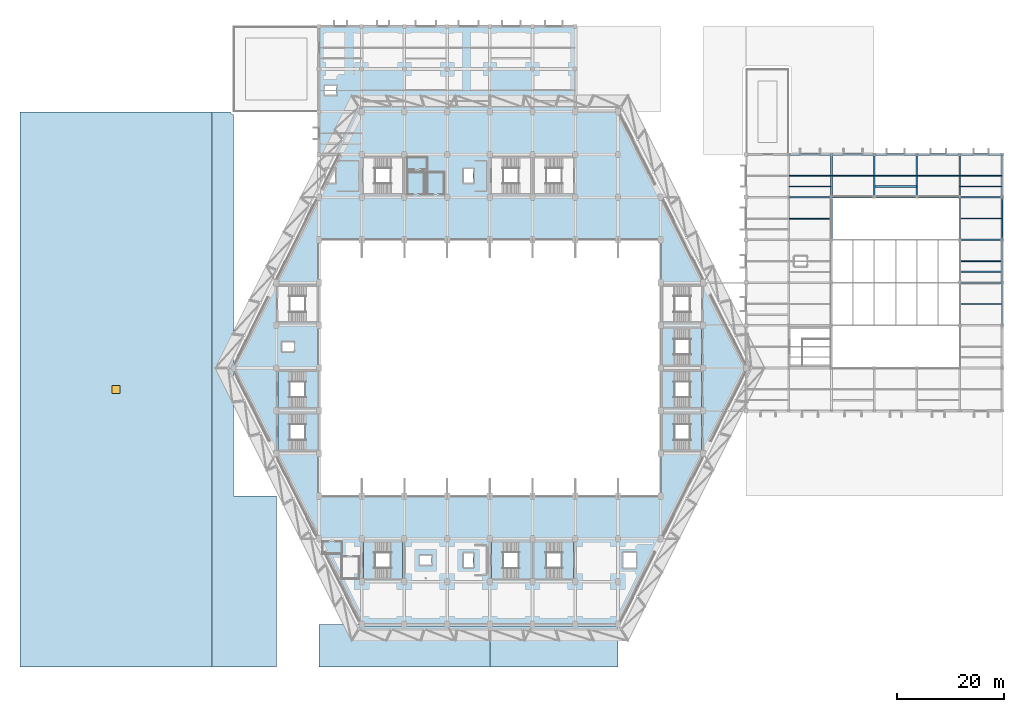
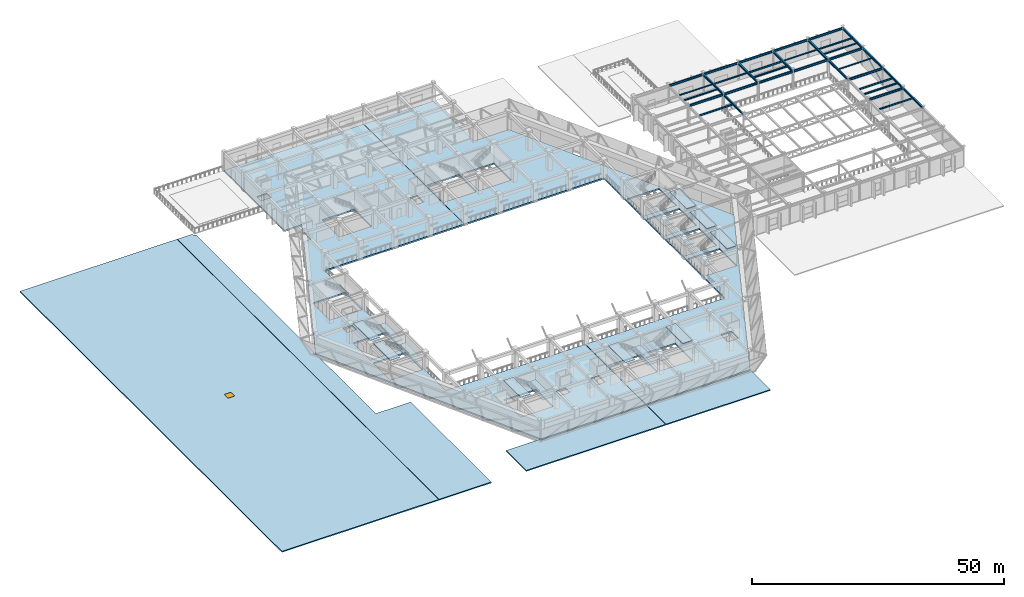
# One storey, part 17 of 46: 35 beams, 22 slabs, 1 member, 1 window, 1 opening, 8 elements without a shape of their own.
"""IFC4 building model written with IfcOpenShell, lengths in metres."""

from ifc_helpers import new_model, si_unit, direction, frame, origin, origin_2d, place, context, subcontext, project, spatial, polyline, rectangle, hollow_circle, i_section, outline, extrude, material, layer, layer_set, material_profile, profile_set, type_object, element, fill, aggregate, save


model = new_model("IFC4")

# Units and contexts
model_context = context("Model", 3, precision=1e-05, world=origin(), true_north=direction((0.0, 1.0)))
body_context = subcontext(model_context, "Body", "Model", "MODEL_VIEW")
ifc_project = project(units=[si_unit("LENGTHUNIT", "METRE"), si_unit("AREAUNIT", "SQUARE_METRE"), si_unit("VOLUMEUNIT", "CUBIC_METRE"), si_unit("PLANEANGLEUNIT", "RADIAN"), si_unit("MASSUNIT", "GRAM", prefix="KILO")], contexts=[model_context])

# Site, building, storey
site_placement = place(None, origin())
site = spatial("IfcSite", under=ifc_project, at=site_placement, CompositionType="ELEMENT")
building_placement = place(site_placement, origin())
building = spatial("IfcBuilding", under=site, at=building_placement, Name="Tazarka Park Arena", CompositionType="ELEMENT")
storey_placement = place(building_placement, frame((0.0, 0.0, 10.199951171875)))
storey = spatial("IfcBuildingStorey", under=building, at=storey_placement, Name="L02", CompositionType="ELEMENT", Elevation=10.199951171875)

# Beams
ifc_material_1 = material(Name="Steel S355", Category="steel")
ifc_material_profile_1 = material_profile(ifc_material_1, i_section(OverallWidth=0.300048828125, OverallDepth=0.489990234375, WebThickness=0.011962890625, FlangeThickness=0.02294921875, FilletRadius=0.027099609375, at=origin_2d()), Name="Steel S355")
ifc_profile_set_1 = profile_set([ifc_material_profile_1], Name="Steel S355")
beam_type_1 = type_object("IfcBeamType", Name="BM-B-06", PredefinedType="BEAM", material=ifc_profile_set_1)
for number, where, z_axis, x_axis, name in (
    (1, (144.1201171875, 96.0, 4.175048828125), (1.0, 0.0, 0.0), (0.0, 1.0, 0.0), "GXM-L02-18-12"),
    (2, (152.1201171875, 96.0, 4.175048828125), (1.0, 0.0, 0.0), (0.0, 1.0, 0.0), "GXM-L02-19-12"),
    (3, (152.0, 96.1201171875, 4.175048828125), (0.0, 1.0, 0.0), (-1.0, 0.0, 0.0), "GYM-L02-19-12"),
    (4, (160.0, 96.1201171875, 4.175048828125), (0.0, 1.0, 0.0), (-1.0, 0.0, 0.0), "GYM-L02-20-12"),
    (5, (168.0, 96.1201171875, 4.175048828125), (0.0, 1.0, 0.0), (-1.0, 0.0, 0.0), "GYM-L02-21-12"),
    (6, (176.1201171875, 80.0, 4.175048828125), (1.0, 0.0, 0.0), (0.0, 1.0, 0.0), "GXM-L02-22-10"),
    (7, (176.1201171875, 88.0, 4.175048828125), (1.0, 0.0, 0.0), (0.0, 1.0, 0.0), "GXM-L02-22-11"),
    (8, (176.1201171875, 96.0, 4.175048828125), (1.0, 0.0, 0.0), (0.0, 1.0, 0.0), "GXM-L02-22-12"),
    (9, (176.0, 96.1201171875, 4.175048828125), (0.0, 1.0, 0.0), (-1.0, 0.0, 0.0), "GYM-L02-22-12"),
):
    element("IfcBeam", number, at=place(storey_placement, frame(where, z_axis=z_axis, x_axis=x_axis)), inside=storey, type_object=beam_type_1, Name=name, PredefinedType="BEAM", context=body_context, shape_type="SweptSolid", body=[
        extrude(i_section(OverallWidth=0.300048828125, OverallDepth=0.489990234375, WebThickness=0.011962890625, FlangeThickness=0.02294921875, FilletRadius=0.027099609375, at=origin_2d()), origin(), (0.0, 0.0, 1.0), 7.759765625),
    ])
ifc_material_2 = material(Name="Steel S355", Category="steel")
ifc_material_profile_2 = material_profile(ifc_material_2, i_section(OverallWidth=0.14990234375, OverallDepth=0.300048828125, WebThickness=0.007080078125, FlangeThickness=0.0107421875, FilletRadius=0.014892578125, at=origin_2d()), Name="Steel S355")
ifc_profile_set_2 = profile_set([ifc_material_profile_2], Name="Steel S355")
beam_type_2 = type_object("IfcBeamType", Name="BM-J-01", PredefinedType="JOIST", material=ifc_profile_set_2)
for number, where, z_axis, x_axis, name in (
    (10, (144.1201171875, 100.0, 4.27001953125), (1.0, 0.0, 0.0), (0.0, 1.0, 0.0), "JST-L02-18-12"),
    (11, (168.1201171875, 100.0, 4.27001953125), (1.0, 0.0, 0.0), (0.0, 1.0, 0.0), "JST-L02-21-12"),
    (12, (176.1201171875, 92.0, 4.27001953125), (1.0, 0.0, 0.0), (0.0, 1.0, 0.0), "JST-L02-22-11"),
):
    element("IfcBeam", number, at=place(storey_placement, frame(where, z_axis=z_axis, x_axis=x_axis)), inside=storey, type_object=beam_type_2, Name=name, PredefinedType="JOIST", context=body_context, shape_type="SweptSolid", body=[
        extrude(i_section(OverallWidth=0.14990234375, OverallDepth=0.300048828125, WebThickness=0.007080078125, FlangeThickness=0.0107421875, FilletRadius=0.014892578125, at=origin_2d()), origin(), (0.0, 0.0, 1.0), 7.759765625),
    ])
ifc_material_3 = material(Name="Steel S355", Category="steel")
ifc_material_profile_3 = material_profile(ifc_material_3, i_section(OverallWidth=0.169921875, OverallDepth=0.360107421875, WebThickness=0.008056640625, FlangeThickness=0.0126953125, FilletRadius=0.01806640625, at=origin_2d()), Name="Steel S355")
ifc_profile_set_3 = profile_set([ifc_material_profile_3], Name="Steel S355")
beam_type_3 = type_object("IfcBeamType", Name="BM-J-02", PredefinedType="JOIST", material=ifc_profile_set_3)
for number, where, z_axis, x_axis, name in (
    (13, (152.1201171875, 100.0, 4.239990234375), (1.0, 0.0, 0.0), (0.0, 1.0, 0.0), "JST-L02-19-12"),
    (14, (176.1201171875, 76.0, 4.239990234375), (1.0, 0.0, 0.0), (0.0, 1.0, 0.0), "JST-L02-22-09"),
    (15, (176.1201171875, 100.0, 4.239990234375), (1.0, 0.0, 0.0), (0.0, 1.0, 0.0), "JST-L02-22-12"),
):
    element("IfcBeam", number, at=place(storey_placement, frame(where, z_axis=z_axis, x_axis=x_axis)), inside=storey, type_object=beam_type_3, Name=name, PredefinedType="JOIST", context=body_context, shape_type="SweptSolid", body=[
        extrude(i_section(OverallWidth=0.169921875, OverallDepth=0.360107421875, WebThickness=0.008056640625, FlangeThickness=0.0126953125, FilletRadius=0.01806640625, at=origin_2d()), origin(), (0.0, 0.0, 1.0), 7.759765625),
    ])
ifc_material_4 = material(Name="Steel S355", Category="steel")
ifc_material_profile_4 = material_profile(ifc_material_4, i_section(OverallWidth=0.179931640625, OverallDepth=0.39990234375, WebThickness=0.008544921875, FlangeThickness=0.013427734375, FilletRadius=0.02099609375, at=origin_2d()), Name="Steel S355")
ifc_profile_set_4 = profile_set([ifc_material_profile_4], Name="Steel S355")
beam_type_4 = type_object("IfcBeamType", Name="BM-J-03", PredefinedType="JOIST", material=ifc_profile_set_4)
for number, where, z_axis, x_axis, name in (
    (16, (144.1201171875, 92.0, 4.219970703125), (1.0, 0.0, 0.0), (0.0, 1.0, 0.0), "JST-L02-18-11"),
    (17, (160.1201171875, 100.0, 4.219970703125), (1.0, 0.0, 0.0), (0.0, 1.0, 0.0), "JST-L02-20-12"),
    (18, (176.1201171875, 84.0, 4.219970703125), (1.0, 0.0, 0.0), (0.0, 1.0, 0.0), "JST-L02-22-10"),
):
    element("IfcBeam", number, at=place(storey_placement, frame(where, z_axis=z_axis, x_axis=x_axis)), inside=storey, type_object=beam_type_4, Name=name, PredefinedType="JOIST", context=body_context, shape_type="SweptSolid", body=[
        extrude(i_section(OverallWidth=0.179931640625, OverallDepth=0.39990234375, WebThickness=0.008544921875, FlangeThickness=0.013427734375, FilletRadius=0.02099609375, at=origin_2d()), origin(), (0.0, 0.0, 1.0), 7.759765625),
    ])
ifc_material_5 = material(Name="Steel S355", Category="steel")
ifc_material_profile_5 = material_profile(ifc_material_5, i_section(OverallWidth=0.135009765625, OverallDepth=0.27001953125, WebThickness=0.006591796875, FlangeThickness=0.01025390625, FilletRadius=0.014892578125, at=origin_2d()), Name="Steel S355")
ifc_profile_set_5 = profile_set([ifc_material_profile_5], Name="Steel S355")
beam_type_5 = type_object("IfcBeamType", Name="BM-J-04", PredefinedType="JOIST", material=ifc_profile_set_5)
beam_1_placement = place(storey_placement, frame((144.1201171875, 98.0, 4.28515625), z_axis=(1.0, 0.0, 0.0), x_axis=(0.0, 1.0, 0.0)))
element("IfcBeam", 19, at=beam_1_placement, inside=storey, type_object=beam_type_5, Name="JST2-L02-18-12", PredefinedType="JOIST", context=body_context, shape_type="SweptSolid", body=[
    extrude(i_section(OverallWidth=0.135009765625, OverallDepth=0.27001953125, WebThickness=0.006591796875, FlangeThickness=0.01025390625, FilletRadius=0.014892578125, at=origin_2d()), origin(), (0.0, 0.0, 1.0), 7.759765625),
])
ifc_material_6 = material(Name="Steel S355", Category="steel")
ifc_material_profile_6 = material_profile(ifc_material_6, i_section(OverallWidth=0.159912109375, OverallDepth=0.330078125, WebThickness=0.007568359375, FlangeThickness=0.011474609375, FilletRadius=0.01806640625, at=origin_2d()), Name="Steel S355")
ifc_profile_set_6 = profile_set([ifc_material_profile_6], Name="Steel S355")
beam_type_6 = type_object("IfcBeamType", Name="BM-J-05", PredefinedType="JOIST", material=ifc_profile_set_6)
beam_2_placement = place(storey_placement, frame((176.1201171875, 98.0, 4.255126953125), z_axis=(1.0, 0.0, 0.0), x_axis=(0.0, 1.0, 0.0)))
element("IfcBeam", 20, at=beam_2_placement, inside=storey, type_object=beam_type_6, Name="JST2-L02-22-12", PredefinedType="JOIST", context=body_context, shape_type="SweptSolid", body=[
    extrude(i_section(OverallWidth=0.159912109375, OverallDepth=0.330078125, WebThickness=0.007568359375, FlangeThickness=0.011474609375, FilletRadius=0.01806640625, at=origin_2d()), origin(), (0.0, 0.0, 1.0), 7.759765625),
])
ifc_material_7 = material(Name="Steel S355", Category="steel")
ifc_material_profile_7 = material_profile(ifc_material_7, i_section(OverallWidth=0.300048828125, OverallDepth=0.330078125, WebThickness=0.009521484375, FlangeThickness=0.0166015625, FilletRadius=0.027099609375, at=origin_2d()), Name="Steel S355")
ifc_profile_set_7 = profile_set([ifc_material_profile_7], Name="Steel S355")
beam_type_7 = type_object("IfcBeamType", Name="BM-J-06", PredefinedType="JOIST", material=ifc_profile_set_7)
for number, where, z_axis, x_axis, name in (
    (21, (160.1201171875, 98.0, 4.255126953125), (1.0, 0.0, 0.0), (0.0, 1.0, 0.0), "JST2-L02-20-12"),
    (22, (176.1201171875, 82.0, 4.255126953125), (1.0, 0.0, 0.0), (0.0, 1.0, 0.0), "JST2-L02-22-10"),
):
    element("IfcBeam", number, at=place(storey_placement, frame(where, z_axis=z_axis, x_axis=x_axis)), inside=storey, type_object=beam_type_7, Name=name, PredefinedType="JOIST", context=body_context, shape_type="SweptSolid", body=[
        extrude(i_section(OverallWidth=0.300048828125, OverallDepth=0.330078125, WebThickness=0.009521484375, FlangeThickness=0.0166015625, FilletRadius=0.027099609375, at=origin_2d()), origin(), (0.0, 0.0, 1.0), 7.759765625),
    ])
ifc_material_8 = material(Name="Steel S355", Category="steel")
ifc_material_profile_8 = material_profile(ifc_material_8, i_section(OverallWidth=0.300048828125, OverallDepth=0.489990234375, WebThickness=0.011962890625, FlangeThickness=0.02294921875, FilletRadius=0.027099609375, at=origin_2d()), Name="Steel S355")
ifc_profile_set_8 = profile_set([ifc_material_profile_8], Name="Steel S355")
beam_type_8 = type_object("IfcBeamType", Name="BM-SP-02", PredefinedType="SPANDREL", material=ifc_profile_set_8)
for number, where, z_axis, x_axis, name in (
    (23, (144.1201171875, 104.0, 4.175048828125), (1.0, 0.0, 0.0), (0.0, 1.0, 0.0), "GXM-L02-18-13"),
    (24, (152.0, 88.1201171875, 4.175048828125), (0.0, 1.0, 0.0), (-1.0, 0.0, 0.0), "GYM-L02-19-11"),
    (25, (152.1201171875, 104.0, 4.175048828125), (1.0, 0.0, 0.0), (0.0, 1.0, 0.0), "GXM-L02-19-13"),
    (26, (160.1201171875, 96.0, 4.175048828125), (1.0, 0.0, 0.0), (0.0, 1.0, 0.0), "GXM-L02-20-12"),
    (27, (160.1201171875, 104.0, 4.175048828125), (1.0, 0.0, 0.0), (0.0, 1.0, 0.0), "GXM-L02-20-13"),
    (28, (168.1201171875, 96.0, 4.175048828125), (1.0, 0.0, 0.0), (0.0, 1.0, 0.0), "GXM-L02-21-12"),
    (29, (168.1201171875, 104.0, 4.175048828125), (1.0, 0.0, 0.0), (0.0, 1.0, 0.0), "GXM-L02-21-13"),
    (30, (176.0, 88.1201171875, 4.175048828125), (0.0, 1.0, 0.0), (-1.0, 0.0, 0.0), "GYM-L02-22-11"),
    (31, (176.1201171875, 104.0, 4.175048828125), (1.0, 0.0, 0.0), (0.0, 1.0, 0.0), "GXM-L02-22-13"),
    (32, (184.0, 72.1201171875, 4.175048828125), (0.0, 1.0, 0.0), (-1.0, 0.0, 0.0), "GYM-L02-23-09"),
    (33, (184.0, 80.1201171875, 4.175048828125), (0.0, 1.0, 0.0), (-1.0, 0.0, 0.0), "GYM-L02-23-10"),
    (34, (184.0, 88.1201171875, 4.175048828125), (0.0, 1.0, 0.0), (-1.0, 0.0, 0.0), "GYM-L02-23-11"),
    (35, (184.0, 96.1201171875, 4.175048828125), (0.0, 1.0, 0.0), (-1.0, 0.0, 0.0), "GYM-L02-23-12"),
):
    element("IfcBeam", number, at=place(storey_placement, frame(where, z_axis=z_axis, x_axis=x_axis)), inside=storey, type_object=beam_type_8, Name=name, PredefinedType="SPANDREL", context=body_context, shape_type="SweptSolid", body=[
        extrude(i_section(OverallWidth=0.300048828125, OverallDepth=0.489990234375, WebThickness=0.011962890625, FlangeThickness=0.02294921875, FilletRadius=0.027099609375, at=origin_2d()), origin(), (0.0, 0.0, 1.0), 7.759765625),
    ])

# Member
ifc_material_9 = material(Name="Steel S355", Category="steel")
ifc_material_profile_9 = material_profile(ifc_material_9, hollow_circle(Radius=0.084228515625, WallThickness=0.008056640625, at=origin_2d()), Name="Steel S355")
ifc_profile_set_9 = profile_set([ifc_material_profile_9], Name="Steel S355")
member_type = type_object("IfcMemberType", Name="MEM-BR-01", PredefinedType="BRACE", material=ifc_profile_set_9)
member_placement = place(storey_placement, frame((184.0, 88.0, 0.199951171875), z_axis=(0.0, 0.900196772828, 0.435483375332), x_axis=(-1.0, 0.0, 0.0)))
element("IfcMember", 36, at=member_placement, inside=storey, type_object=member_type, Name="BRX-L02-03", PredefinedType="BRACE", context=body_context, shape_type="SweptSolid", body=[
    extrude(hollow_circle(Radius=0.084228515625, WallThickness=0.008056640625, at=origin_2d()), origin(), (0.0, 0.0, 1.0), 8.886962890625),
])

# Stair, slabs
ifc_material_10 = material(Name="Precast concrete C40/50", Category="concrete")
stair_type_1 = type_object("IfcStairType", Name="STR-2400", PredefinedType="HALF_TURN_STAIR", material=ifc_material_10)
stair_1_placement = place(storey_placement, origin())
stair_1 = element("IfcStair", 37, at=stair_1_placement, inside=storey, type_object=stair_type_1, Name="Stair ST09 L02", PredefinedType="HALF_TURN_STAIR")
ifc_material_11 = material(Name="Precast concrete C40/50", Category="concrete")
ifc_layer_1 = layer(ifc_material_11, 0.199951171875, Name="Precast concrete C40/50")
ifc_layer_set_1 = layer_set([ifc_layer_1], Name="Precast concrete C40/50")
slab_type_1 = type_object("IfcSlabType", Name="LND-01", PredefinedType="LANDING", material=ifc_layer_set_1)
slab_1_placement = place(storey_placement, frame((0.0, 0.0, 2.199951171875)))
slab_1 = element("IfcSlab", 38, at=slab_1_placement, type_object=slab_type_1, Name="ST09-L02 landing 1", PredefinedType="LANDING", context=body_context, shape_type="SweptSolid", body=[
    extrude(outline(polyline([(69.409912109375, 24.610107421875), (71.68994140625, 24.610107421875), (71.68994140625, 31.389892578125), (69.409912109375, 31.389892578125), (69.409912109375, 24.610107421875)])), origin(), (0.0, 0.0, 1.0), 0.2001953125),
])
slab_2_placement = place(storey_placement, frame((0.0, 0.0, 4.60009765625)))
slab_2 = element("IfcSlab", 39, at=slab_2_placement, type_object=slab_type_1, Name="ST09-L02 landing 2", PredefinedType="LANDING", context=body_context, shape_type="SweptSolid", body=[
    extrude(outline(polyline([(64.31005859375, 24.610107421875), (66.534912109375, 24.610107421875), (66.534912109375, 31.389892578125), (64.31005859375, 31.389892578125), (64.31005859375, 24.610107421875)])), origin(), (0.0, 0.0, 1.0), 0.199951171875),
])
aggregate(stair_1, [slab_1, slab_2])

stair_2_placement = place(storey_placement, origin())
stair_2 = element("IfcStair", 40, at=stair_2_placement, inside=storey, type_object=stair_type_1, Name="Stair ST11 L02", PredefinedType="HALF_TURN_STAIR")
slab_3_placement = place(storey_placement, frame((0.0, 0.0, 2.199951171875)))
slab_3 = element("IfcSlab", 41, at=slab_3_placement, type_object=slab_type_1, Name="ST11-L02 landing 1", PredefinedType="LANDING", context=body_context, shape_type="SweptSolid", body=[
    extrude(outline(polyline([(96.31005859375, 24.610107421875), (98.590087890625, 24.610107421875), (98.590087890625, 31.389892578125), (96.31005859375, 31.389892578125), (96.31005859375, 24.610107421875)])), origin(), (0.0, 0.0, 1.0), 0.2001953125),
])
slab_4_placement = place(storey_placement, frame((0.0, 0.0, 4.60009765625)))
slab_4 = element("IfcSlab", 42, at=slab_4_placement, type_object=slab_type_1, Name="ST11-L02 landing 2", PredefinedType="LANDING", context=body_context, shape_type="SweptSolid", body=[
    extrude(outline(polyline([(101.465087890625, 24.610107421875), (103.68994140625, 24.610107421875), (103.68994140625, 31.389892578125), (101.465087890625, 31.389892578125), (101.465087890625, 24.610107421875)])), origin(), (0.0, 0.0, 1.0), 0.199951171875),
])
aggregate(stair_2, [slab_3, slab_4])

stair_3_placement = place(storey_placement, origin())
stair_3 = element("IfcStair", 43, at=stair_3_placement, inside=storey, type_object=stair_type_1, Name="Stair ST12 L02", PredefinedType="HALF_TURN_STAIR")
slab_5_placement = place(storey_placement, frame((0.0, 0.0, 2.199951171875)))
slab_5 = element("IfcSlab", 44, at=slab_5_placement, type_object=slab_type_1, Name="ST12-L02 landing 1", PredefinedType="LANDING", context=body_context, shape_type="SweptSolid", body=[
    extrude(outline(polyline([(120.31005859375, 56.610107421875), (122.590087890625, 56.610107421875), (122.590087890625, 63.389892578125), (120.31005859375, 63.389892578125), (120.31005859375, 56.610107421875)])), origin(), (0.0, 0.0, 1.0), 0.2001953125),
])
slab_6_placement = place(storey_placement, frame((0.0, 0.0, 4.60009765625)))
slab_6 = element("IfcSlab", 45, at=slab_6_placement, type_object=slab_type_1, Name="ST12-L02 landing 2", PredefinedType="LANDING", context=body_context, shape_type="SweptSolid", body=[
    extrude(outline(polyline([(125.465087890625, 56.610107421875), (127.68994140625, 56.610107421875), (127.68994140625, 63.389892578125), (125.465087890625, 63.389892578125), (125.465087890625, 56.610107421875)])), origin(), (0.0, 0.0, 1.0), 0.199951171875),
])
aggregate(stair_3, [slab_5, slab_6])

stair_4_placement = place(storey_placement, origin())
stair_4 = element("IfcStair", 46, at=stair_4_placement, inside=storey, type_object=stair_type_1, Name="Stair ST13 L02", PredefinedType="HALF_TURN_STAIR")
slab_7_placement = place(storey_placement, frame((0.0, 0.0, 2.199951171875)))
slab_7 = element("IfcSlab", 47, at=slab_7_placement, type_object=slab_type_1, Name="ST13-L02 landing 1", PredefinedType="LANDING", context=body_context, shape_type="SweptSolid", body=[
    extrude(outline(polyline([(53.409912109375, 56.610107421875), (55.68994140625, 56.610107421875), (55.68994140625, 63.389892578125), (53.409912109375, 63.389892578125), (53.409912109375, 56.610107421875)])), origin(), (0.0, 0.0, 1.0), 0.2001953125),
])
slab_8_placement = place(storey_placement, frame((0.0, 0.0, 4.60009765625)))
slab_8 = element("IfcSlab", 48, at=slab_8_placement, type_object=slab_type_1, Name="ST13-L02 landing 2", PredefinedType="LANDING", context=body_context, shape_type="SweptSolid", body=[
    extrude(outline(polyline([(48.31005859375, 56.610107421875), (50.534912109375, 56.610107421875), (50.534912109375, 63.389892578125), (48.31005859375, 63.389892578125), (48.31005859375, 56.610107421875)])), origin(), (0.0, 0.0, 1.0), 0.199951171875),
])
aggregate(stair_4, [slab_7, slab_8])

stair_5_placement = place(storey_placement, origin())
stair_5 = element("IfcStair", 49, at=stair_5_placement, inside=storey, type_object=stair_type_1, Name="Stair ST16 L02", PredefinedType="HALF_TURN_STAIR")
slab_9_placement = place(storey_placement, frame((0.0, 0.0, 2.199951171875)))
slab_9 = element("IfcSlab", 50, at=slab_9_placement, type_object=slab_type_1, Name="ST16-L02 landing 1", PredefinedType="LANDING", context=body_context, shape_type="SweptSolid", body=[
    extrude(outline(polyline([(120.31005859375, 64.610107421875), (122.590087890625, 64.610107421875), (122.590087890625, 71.389892578125), (120.31005859375, 71.389892578125), (120.31005859375, 64.610107421875)])), origin(), (0.0, 0.0, 1.0), 0.2001953125),
])
slab_10_placement = place(storey_placement, frame((0.0, 0.0, 4.60009765625)))
slab_10 = element("IfcSlab", 51, at=slab_10_placement, type_object=slab_type_1, Name="ST16-L02 landing 2", PredefinedType="LANDING", context=body_context, shape_type="SweptSolid", body=[
    extrude(outline(polyline([(125.465087890625, 64.610107421875), (127.68994140625, 64.610107421875), (127.68994140625, 71.389892578125), (125.465087890625, 71.389892578125), (125.465087890625, 64.610107421875)])), origin(), (0.0, 0.0, 1.0), 0.199951171875),
])
aggregate(stair_5, [slab_9, slab_10])

ifc_material_12 = material(Name="Precast concrete C40/50", Category="concrete")
stair_type_2 = type_object("IfcStairType", Name="STR-1800", PredefinedType="HALF_TURN_STAIR", material=ifc_material_12)
stair_6_placement = place(storey_placement, origin())
stair_6 = element("IfcStair", 52, at=stair_6_placement, inside=storey, type_object=stair_type_2, Name="Vomitory Stair ST19 L02", PredefinedType="HALF_TURN_STAIR")
slab_11_placement = place(storey_placement, frame((0.0, 0.0, 2.199951171875)))
slab_11 = element("IfcSlab", 53, at=slab_11_placement, type_object=slab_type_1, Name="ST19-L02 landing 1", PredefinedType="LANDING", context=body_context, shape_type="SweptSolid", body=[
    extrude(outline(polyline([(53.409912109375, 48.610107421875), (55.68994140625, 48.610107421875), (55.68994140625, 55.389892578125), (53.409912109375, 55.389892578125), (53.409912109375, 48.610107421875)])), origin(), (0.0, 0.0, 1.0), 0.2001953125),
])
slab_12_placement = place(storey_placement, frame((0.0, 0.0, 4.60009765625)))
slab_12 = element("IfcSlab", 54, at=slab_12_placement, type_object=slab_type_1, Name="ST19-L02 landing 2", PredefinedType="LANDING", context=body_context, shape_type="SweptSolid", body=[
    extrude(outline(polyline([(48.31005859375, 48.610107421875), (50.534912109375, 48.610107421875), (50.534912109375, 55.389892578125), (48.31005859375, 55.389892578125), (48.31005859375, 48.610107421875)])), origin(), (0.0, 0.0, 1.0), 0.199951171875),
])
aggregate(stair_6, [slab_11, slab_12])

stair_7_placement = place(storey_placement, origin())
stair_7 = element("IfcStair", 55, at=stair_7_placement, inside=storey, type_object=stair_type_2, Name="Vomitory Stair ST21 L02", PredefinedType="HALF_TURN_STAIR")
slab_13_placement = place(storey_placement, frame((0.0, 0.0, 2.199951171875)))
slab_13 = element("IfcSlab", 56, at=slab_13_placement, type_object=slab_type_1, Name="ST21-L02 landing 1", PredefinedType="LANDING", context=body_context, shape_type="SweptSolid", body=[
    extrude(outline(polyline([(120.31005859375, 48.610107421875), (122.590087890625, 48.610107421875), (122.590087890625, 55.389892578125), (120.31005859375, 55.389892578125), (120.31005859375, 48.610107421875)])), origin(), (0.0, 0.0, 1.0), 0.2001953125),
])
slab_14_placement = place(storey_placement, frame((0.0, 0.0, 4.60009765625)))
slab_14 = element("IfcSlab", 57, at=slab_14_placement, type_object=slab_type_1, Name="ST21-L02 landing 2", PredefinedType="LANDING", context=body_context, shape_type="SweptSolid", body=[
    extrude(outline(polyline([(125.465087890625, 48.610107421875), (127.68994140625, 48.610107421875), (127.68994140625, 55.389892578125), (125.465087890625, 55.389892578125), (125.465087890625, 48.610107421875)])), origin(), (0.0, 0.0, 1.0), 0.199951171875),
])
aggregate(stair_7, [slab_13, slab_14])

stair_8_placement = place(storey_placement, origin())
stair_8 = element("IfcStair", 58, at=stair_8_placement, inside=storey, type_object=stair_type_2, Name="Vomitory Stair ST23 L02", PredefinedType="HALF_TURN_STAIR")
slab_15_placement = place(storey_placement, frame((0.0, 0.0, 2.199951171875)))
slab_15 = element("IfcSlab", 59, at=slab_15_placement, type_object=slab_type_1, Name="ST23-L02 landing 1", PredefinedType="LANDING", context=body_context, shape_type="SweptSolid", body=[
    extrude(outline(polyline([(93.409912109375, 24.610107421875), (95.68994140625, 24.610107421875), (95.68994140625, 31.389892578125), (93.409912109375, 31.389892578125), (93.409912109375, 24.610107421875)])), origin(), (0.0, 0.0, 1.0), 0.2001953125),
])
slab_16_placement = place(storey_placement, frame((0.0, 0.0, 4.60009765625)))
slab_16 = element("IfcSlab", 60, at=slab_16_placement, type_object=slab_type_1, Name="ST23-L02 landing 2", PredefinedType="LANDING", context=body_context, shape_type="SweptSolid", body=[
    extrude(outline(polyline([(88.31005859375, 24.610107421875), (90.534912109375, 24.610107421875), (90.534912109375, 31.389892578125), (88.31005859375, 31.389892578125), (88.31005859375, 24.610107421875)])), origin(), (0.0, 0.0, 1.0), 0.199951171875),
])
aggregate(stair_8, [slab_15, slab_16])

# Slab, opening, window
ifc_material_13 = material(Name="Concrete C35/45", Category="concrete")
ifc_layer_2 = layer(ifc_material_13, 0.25, Name="Concrete C35/45")
ifc_layer_set_2 = layer_set([ifc_layer_2], Name="Concrete C35/45")
slab_type_2 = type_object("IfcSlabType", Name="SLB-RS-03", PredefinedType="ROOF", material=ifc_layer_set_2)
slab_17_placement = place(storey_placement, frame((0.0, 0.0, -0.25)))
slab_17 = element("IfcSlab", 61, at=slab_17_placement, inside=storey, type_object=slab_type_2, Name="WROOF-L02-01", PredefinedType="ROOF", context=body_context, shape_type="SweptSolid", body=[
    extrude(outline(polyline([(0.0, 8.0), (0.0, 112.0), (35.97998046875, 112.0), (35.97998046875, 8.0), (0.0, 8.0)])), origin(), (0.0, 0.0, 1.0), 0.25),
])
opening_placement = place(slab_17_placement, frame((17.989990234375, 60.0, 0.0)))
opening = element("IfcOpeningElement", 62, at=opening_placement, cuts=slab_17, Name="Opening SK-04", PredefinedType="OPENING", context=body_context, shape_type="SweptSolid", body=[
    extrude(rectangle(XDim=1.5, YDim=1.5, at=origin_2d()), origin(), (0.0, 0.0, 1.0), 0.25),
])
ifc_material_14 = material(Name="Thermally broken aluminium and solar-control low-e glazing", Category="aluminium")
window_type = type_object("IfcWindowType", Name="WIN-SK-04", PartitioningType="DOUBLE_PANEL_VERTICAL", PredefinedType="SKYLIGHT", material=ifc_material_14)
window_placement = place(opening_placement, frame((0.0, 0.0, 0.199951171875)))
window = element("IfcWindow", 63, at=window_placement, inside=storey, type_object=window_type, Name="Smoke Vent Skylight 08", OverallHeight=1.5, OverallWidth=1.5, PartitioningType="SINGLE_PANEL", PredefinedType="SKYLIGHT", context=body_context, shape_type="SweptSolid", body=[
    extrude(rectangle(XDim=1.5, YDim=1.5, at=origin_2d()), origin(), (0.0, 0.0, 1.0), 0.050048828125),
])
fill(opening, window)

# Slabs
slab_18_placement = place(storey_placement, frame((0.0, 0.0, -0.25)))
element("IfcSlab", 64, at=slab_18_placement, inside=storey, type_object=slab_type_2, Name="WROOF-L02-02", PredefinedType="ROOF", context=body_context, shape_type="SweptSolid", body=[
    extrude(outline(polyline([(39.449951171875, 112.0), (39.491943359375, 111.78955078125), (39.611083984375, 111.611083984375), (39.78955078125, 111.491943359375), (40.0, 111.449951171875), (40.0, 64.78271484375), (39.650390625, 64.01806640625), (39.672607421875, 63.87646484375), (40.0, 63.21728515625), (40.0, 40.0), (48.0, 40.0), (48.0, 8.0), (36.02001953125, 8.0), (36.02001953125, 112.0), (39.449951171875, 112.0)])), origin(), (0.0, 0.0, 1.0), 0.25),
])
slab_19_placement = place(storey_placement, frame((0.0, 0.0, -0.25)))
element("IfcSlab", 65, at=slab_19_placement, inside=storey, type_object=slab_type_2, Name="WROOF-L02-03", PredefinedType="ROOF", context=body_context, shape_type="SweptSolid", body=[
    extrude(outline(polyline([(63.724609375, 15.783935546875), (63.86279296875, 15.677978515625), (64.0, 15.64990234375), (87.97998046875, 15.64990234375), (87.97998046875, 8.0), (56.0, 8.0), (56.0, 16.0), (63.608642578125, 16.0), (63.724609375, 15.783935546875)])), origin(), (0.0, 0.0, 1.0), 0.25),
])
slab_20_placement = place(storey_placement, frame((0.0, 0.0, -0.25)))
element("IfcSlab", 66, at=slab_20_placement, inside=storey, type_object=slab_type_2, Name="WROOF-L02-04", PredefinedType="ROOF", context=body_context, shape_type="SweptSolid", body=[
    extrude(outline(polyline([(112.0, 15.64990234375), (112.0, 8.0), (88.02001953125, 8.0), (88.02001953125, 15.64990234375), (112.0, 15.64990234375)])), origin(), (0.0, 0.0, 1.0), 0.25),
])
ifc_material_15 = material(Name="Concrete C35/45", Category="concrete")
ifc_layer_3 = layer(ifc_material_15, 0.360107421875, Name="Concrete C35/45")
ifc_layer_set_3 = layer_set([ifc_layer_3], Name="Concrete C35/45")
slab_type_3 = type_object("IfcSlabType", Name="SLB-SL-05", PredefinedType="FLOOR", material=ifc_layer_set_3)
slab_21_placement = place(storey_placement, frame((0.0, 0.0, -0.35986328125)))
element("IfcSlab", 67, at=slab_21_placement, inside=storey, type_object=slab_type_3, Name="FLR-L02-BW-01", PredefinedType="FLOOR", context=body_context, shape_type="SweptSolid", body=[
    extrude(outline(polyline([(56.0, 127.969970703125), (56.030029296875, 128.0), (87.978759765625, 127.978759765625), (87.97314453125, 88.010986328125), (56.0, 87.999267578125), (56.0, 40.0), (87.968994140625, 39.9931640625), (87.958740234375, 16.001220703125), (63.996826171875, 16.00927734375), (40.00439453125, 63.992431640625), (57.3466796875, 98.693359375), (59.090087890625, 98.7099609375), (59.090087890625, 101.2900390625), (58.690673828125, 101.2900390625), (58.6640625, 101.3251953125), (60.0, 104.0), (56.030029296875, 104.0), (56.0, 104.027099609375), (56.0, 127.969970703125)]), holes=[polyline([(83.110107421875, 26.7099609375), (84.889892578125, 26.7099609375), (84.889892578125, 29.2900390625), (83.110107421875, 29.2900390625), (83.110107421875, 26.7099609375)]), polyline([(83.110107421875, 98.7099609375), (84.889892578125, 98.7099609375), (84.889892578125, 101.2900390625), (83.110107421875, 101.2900390625), (83.110107421875, 98.7099609375)]), polyline([(74.909912109375, 27.159912109375), (77.090087890625, 27.159912109375), (77.090087890625, 28.840087890625), (74.909912109375, 28.840087890625), (74.909912109375, 27.159912109375)]), polyline([(64.300048828125, 24.60009765625), (71.699951171875, 24.60009765625), (71.699951171875, 31.39990234375), (64.300048828125, 31.39990234375), (64.300048828125, 24.60009765625)]), polyline([(64.300048828125, 96.60009765625), (71.699951171875, 96.60009765625), (71.699951171875, 103.39990234375), (64.300048828125, 103.39990234375), (64.300048828125, 96.60009765625)]), polyline([(57.110107421875, 115.159912109375), (59.2900390625, 115.159912109375), (59.2900390625, 116.840087890625), (57.110107421875, 116.840087890625), (57.110107421875, 115.159912109375)]), polyline([(48.300048828125, 72.60009765625), (55.699951171875, 72.60009765625), (55.699951171875, 79.39990234375), (48.300048828125, 79.39990234375), (48.300048828125, 72.60009765625)]), polyline([(48.300048828125, 48.60009765625), (55.699951171875, 48.60009765625), (55.699951171875, 55.39990234375), (48.300048828125, 55.39990234375), (48.300048828125, 48.60009765625)]), polyline([(48.300048828125, 56.60009765625), (55.699951171875, 56.60009765625), (55.699951171875, 63.39990234375), (48.300048828125, 63.39990234375), (48.300048828125, 56.60009765625)]), polyline([(49.110107421875, 67.159912109375), (51.2900390625, 67.159912109375), (51.2900390625, 68.840087890625), (49.110107421875, 68.840087890625), (49.110107421875, 67.159912109375)])]), origin(), (0.0, 0.0, 1.0), 0.35986328125),
])
slab_22_placement = place(storey_placement, frame((0.0, 0.0, -0.35986328125)))
element("IfcSlab", 68, at=slab_22_placement, inside=storey, type_object=slab_type_3, Name="FLR-L02-BE-01", PredefinedType="FLOOR", context=body_context, shape_type="SweptSolid", body=[
    extrude(outline(polyline([(103.969970703125, 128.0), (104.0, 127.969970703125), (104.0, 112.0), (112.0068359375, 111.986083984375), (135.976806640625, 64.04638671875), (135.9794921875, 63.961669921875), (112.003173828125, 16.00927734375), (88.047119140625, 16.0), (88.02001953125, 16.030029296875), (88.031005859375, 39.9931640625), (120.0, 40.0), (120.0, 88.0), (88.0205078125, 88.024169921875), (88.022216796875, 127.9814453125), (103.969970703125, 128.0)]), holes=[polyline([(120.300048828125, 48.60009765625), (127.699951171875, 48.60009765625), (127.699951171875, 55.39990234375), (120.300048828125, 55.39990234375), (120.300048828125, 48.60009765625)]), polyline([(120.300048828125, 56.60009765625), (127.699951171875, 56.60009765625), (127.699951171875, 63.39990234375), (120.300048828125, 63.39990234375), (120.300048828125, 56.60009765625)]), polyline([(120.300048828125, 64.60009765625), (127.699951171875, 64.60009765625), (127.699951171875, 71.39990234375), (120.300048828125, 71.39990234375), (120.300048828125, 64.60009765625)]), polyline([(120.300048828125, 72.60009765625), (127.699951171875, 72.60009765625), (127.699951171875, 79.39990234375), (120.300048828125, 79.39990234375), (120.300048828125, 72.60009765625)]), polyline([(113.010009765625, 26.610107421875), (115.389892578125, 26.610107421875), (115.389892578125, 29.389892578125), (113.010009765625, 29.389892578125), (113.010009765625, 26.610107421875)]), polyline([(96.300048828125, 24.60009765625), (103.699951171875, 24.60009765625), (103.699951171875, 31.39990234375), (96.300048828125, 31.39990234375), (96.300048828125, 24.60009765625)]), polyline([(96.300048828125, 96.60009765625), (103.699951171875, 96.60009765625), (103.699951171875, 103.39990234375), (96.300048828125, 103.39990234375), (96.300048828125, 96.60009765625)]), polyline([(88.300048828125, 24.60009765625), (95.699951171875, 24.60009765625), (95.699951171875, 31.39990234375), (88.300048828125, 31.39990234375), (88.300048828125, 24.60009765625)]), polyline([(88.300048828125, 96.60009765625), (95.699951171875, 96.60009765625), (95.699951171875, 103.39990234375), (88.300048828125, 103.39990234375), (88.300048828125, 96.60009765625)])]), origin(), (0.0, 0.0, 1.0), 0.35986328125),
])

save(model, "model.ifc")
